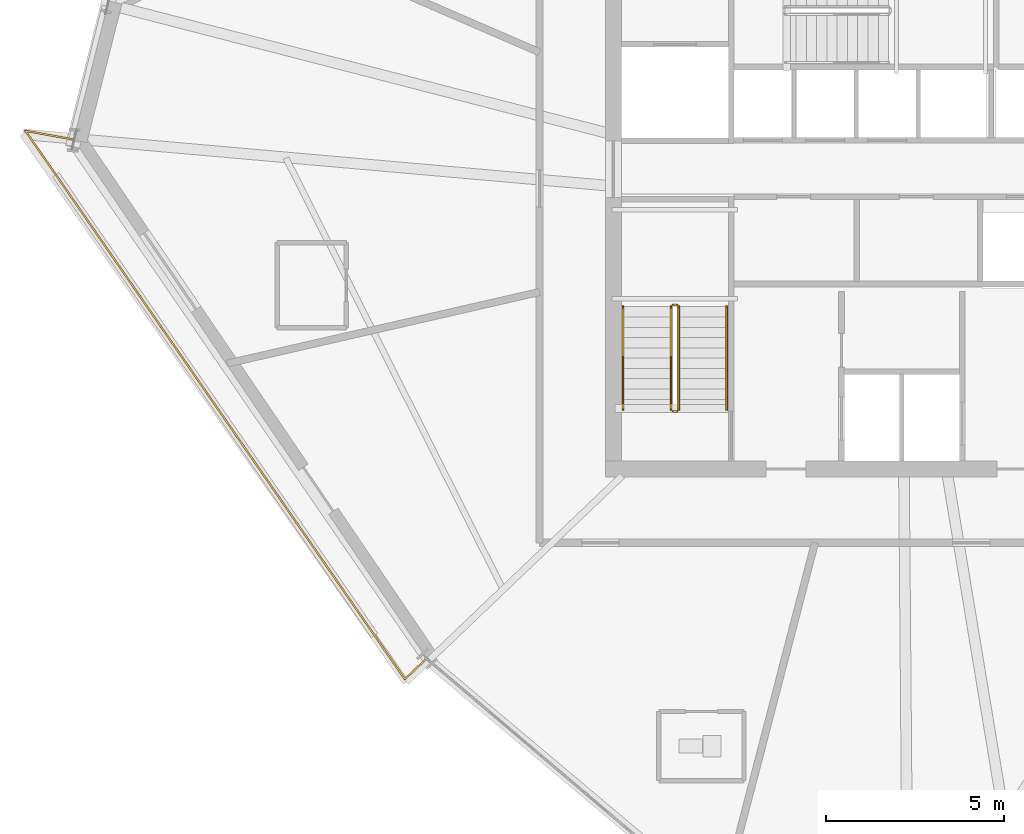
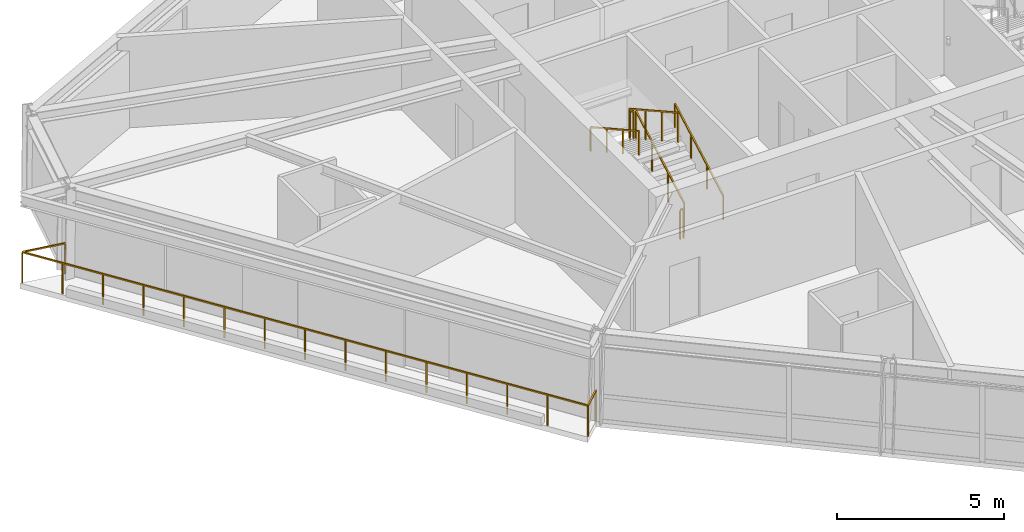
# One storey, part 12 of 15: 7 railings.
"""IFC4 building model written with IfcOpenShell, lengths in metres."""

from ifc_helpers import new_model, si_unit, direction, frame, origin, origin_2d, place, context, subcontext, project, spatial, rectangle, extrude, material, type_object, element, save


model = new_model("IFC4")

# Units and contexts
model_context = context("Model", 3, precision=1e-05, world=origin(), true_north=direction((0.0, 1.0)))
body_context = subcontext(model_context, "Body", "Model", "MODEL_VIEW")
ifc_project = project(units=[si_unit("LENGTHUNIT", "METRE"), si_unit("AREAUNIT", "SQUARE_METRE"), si_unit("VOLUMEUNIT", "CUBIC_METRE"), si_unit("PLANEANGLEUNIT", "RADIAN"), si_unit("MASSUNIT", "GRAM", prefix="KILO")], contexts=[model_context])

# Site, building, storey
site_placement = place(None, origin())
site = spatial("IfcSite", under=ifc_project, at=site_placement, CompositionType="ELEMENT")
building_placement = place(site_placement, origin())
building = spatial("IfcBuilding", under=site, at=building_placement, Name="Olszyna Solenne Hotel", CompositionType="ELEMENT")
storey_placement = place(building_placement, frame((0.0, 0.0, 213.14990234375)))
storey = spatial("IfcBuildingStorey", under=building, at=storey_placement, Name="L56", CompositionType="ELEMENT", Elevation=213.14990234375)

# Railings
ifc_material_1 = material(Name="Anodised bronze aluminium", Category="aluminium")
railing_type_1 = type_object("IfcRailingType", Name="GR-110", PredefinedType="BALUSTRADE", material=ifc_material_1)
railing_1_placement = place(storey_placement, frame((14.67431640625, 28.55810546875, 0.0)))
element("IfcRailing", 1, at=railing_1_placement, inside=storey, type_object=railing_type_1, Name="Loggia balcony balustrade guard GR-L56-LG2", PredefinedType="BALUSTRADE", context=body_context, shape_type="SweptSolid", body=[
    extrude(rectangle(XDim=0.048095703125, YDim=0.048095703125, at=origin_2d()), frame((0.0, 0.0, 1.1259765625), z_axis=(-0.98408442222, 0.177701575523, 0.0), x_axis=(-0.177701575523, -0.98408442222, 0.0)), (0.0, 0.0, 1.0), 1.37939453125),
    extrude(rectangle(XDim=0.048095703125, YDim=0.048095703125, at=origin_2d()), frame((-1.357421875, 0.2451171875, 1.1259765625), z_axis=(0.568887530373, -0.822415331682, 0.0), x_axis=(0.822415331682, 0.568887530373, 0.0)), (0.0, 0.0, 1.0), 18.78271484375),
    extrude(rectangle(XDim=0.048095703125, YDim=0.048095703125, at=origin_2d()), frame((9.327880859375, -15.2021484375, 1.1259765625), z_axis=(0.723925186194, 0.689878485528, 0.0), x_axis=(-0.689878485528, 0.723925186194, 0.0)), (0.0, 0.0, 1.0), 0.84619140625),
    extrude(rectangle(XDim=0.0419921875, YDim=0.0419921875, at=origin_2d()), origin(), (0.0, 0.0, 1.0), 1.101806640625),
    extrude(rectangle(XDim=0.0419921875, YDim=0.0419921875, at=origin_2d()), frame((-1.357421875, 0.2451171875, 0.0)), (0.0, 0.0, 1.0), 1.101806640625),
    extrude(rectangle(XDim=0.0419921875, YDim=0.0419921875, at=origin_2d()), frame((-0.59423828125, -0.858154296875, 0.0)), (0.0, 0.0, 1.0), 1.101806640625),
    extrude(rectangle(XDim=0.0419921875, YDim=0.0419921875, at=origin_2d()), frame((0.1689453125, -1.961669921875, 0.0)), (0.0, 0.0, 1.0), 1.101806640625),
    extrude(rectangle(XDim=0.0419921875, YDim=0.0419921875, at=origin_2d()), frame((0.932373046875, -3.06494140625, 0.0)), (0.0, 0.0, 1.0), 1.101806640625),
    extrude(rectangle(XDim=0.0419921875, YDim=0.0419921875, at=origin_2d()), frame((1.695556640625, -4.16845703125, 0.0)), (0.0, 0.0, 1.0), 1.101806640625),
    extrude(rectangle(XDim=0.0419921875, YDim=0.0419921875, at=origin_2d()), frame((2.458740234375, -5.271728515625, 0.0)), (0.0, 0.0, 1.0), 1.101806640625),
    extrude(rectangle(XDim=0.0419921875, YDim=0.0419921875, at=origin_2d()), frame((3.221923828125, -6.375244140625, 0.0)), (0.0, 0.0, 1.0), 1.101806640625),
    extrude(rectangle(XDim=0.0419921875, YDim=0.0419921875, at=origin_2d()), frame((3.9853515625, -7.478515625, 0.0)), (0.0, 0.0, 1.0), 1.101806640625),
    extrude(rectangle(XDim=0.0419921875, YDim=0.0419921875, at=origin_2d()), frame((4.74853515625, -8.581787109375, 0.0)), (0.0, 0.0, 1.0), 1.101806640625),
    extrude(rectangle(XDim=0.0419921875, YDim=0.0419921875, at=origin_2d()), frame((5.51171875, -9.685302734375, 0.0)), (0.0, 0.0, 1.0), 1.101806640625),
    extrude(rectangle(XDim=0.0419921875, YDim=0.0419921875, at=origin_2d()), frame((6.27490234375, -10.78857421875, 0.0)), (0.0, 0.0, 1.0), 1.101806640625),
    extrude(rectangle(XDim=0.0419921875, YDim=0.0419921875, at=origin_2d()), frame((7.0380859375, -11.89208984375, 0.0)), (0.0, 0.0, 1.0), 1.101806640625),
    extrude(rectangle(XDim=0.0419921875, YDim=0.0419921875, at=origin_2d()), frame((7.801513671875, -12.995361328125, 0.0)), (0.0, 0.0, 1.0), 1.101806640625),
    extrude(rectangle(XDim=0.0419921875, YDim=0.0419921875, at=origin_2d()), frame((8.564697265625, -14.098876953125, 0.0)), (0.0, 0.0, 1.0), 1.101806640625),
    extrude(rectangle(XDim=0.0419921875, YDim=0.0419921875, at=origin_2d()), frame((9.327880859375, -15.2021484375, 0.0)), (0.0, 0.0, 1.0), 1.101806640625),
    extrude(rectangle(XDim=0.0419921875, YDim=0.0419921875, at=origin_2d()), frame((9.9404296875, -14.618408203125, 0.0)), (0.0, 0.0, 1.0), 1.101806640625),
])
railing_2_placement = place(storey_placement, frame((31.719970703125, 20.949951171875, 0.161376953125)))
element("IfcRailing", 2, at=railing_2_placement, inside=storey, type_object=railing_type_1, Name="L56 ST1 stair guard 1", PredefinedType="BALUSTRADE", context=body_context, shape_type="SweptSolid", body=[
    extrude(rectangle(XDim=0.048095703125, YDim=0.048095703125, at=origin_2d()), frame((0.0, 0.0, 1.076171875), z_axis=(0.0, 0.873827439584, 0.48623616261), x_axis=(-1.0, 0.0, 0.0)), (0.0, 0.0, 1.0), 3.31884765625),
    extrude(rectangle(XDim=0.0419921875, YDim=0.0419921875, at=origin_2d()), origin(), (0.0, 0.0, 1.0), 1.052001953125),
    extrude(rectangle(XDim=0.0419921875, YDim=0.0419921875, at=origin_2d()), frame((0.0, 0.966796875, 0.537841796875)), (0.0, 0.0, 1.0), 1.052001953125),
    extrude(rectangle(XDim=0.0419921875, YDim=0.0419921875, at=origin_2d()), frame((0.0, 1.933349609375, 1.075927734375)), (0.0, 0.0, 1.0), 1.052001953125),
    extrude(rectangle(XDim=0.0419921875, YDim=0.0419921875, at=origin_2d()), frame((0.0, 2.900146484375, 1.61376953125)), (0.0, 0.0, 1.0), 1.052001953125),
])
railing_3_placement = place(storey_placement, frame((31.669921875, 23.89990234375, 1.775146484375)))
element("IfcRailing", 3, at=railing_3_placement, inside=storey, type_object=railing_type_1, Name="L56 ST1 stair guard 2", PredefinedType="BALUSTRADE", context=body_context, shape_type="SweptSolid", body=[
    extrude(rectangle(XDim=0.048095703125, YDim=0.048095703125, at=origin_2d()), frame((0.0, 0.0, 1.076171875), z_axis=(-1.0, 0.0, 0.0), x_axis=(0.0, -1.0, 0.0)), (0.0, 0.0, 1.0), 0.119873046875),
    extrude(rectangle(XDim=0.0419921875, YDim=0.0419921875, at=origin_2d()), origin(), (0.0, 0.0, 1.0), 1.052001953125),
    extrude(rectangle(XDim=0.0419921875, YDim=0.0419921875, at=origin_2d()), frame((-0.119873046875, 0.0, 0.0)), (0.0, 0.0, 1.0), 1.052001953125),
])
railing_4_placement = place(storey_placement, frame((31.5, 23.85009765625, 1.9365234375)))
element("IfcRailing", 4, at=railing_4_placement, inside=storey, type_object=railing_type_1, Name="L56 ST1 stair guard 3", PredefinedType="BALUSTRADE", context=body_context, shape_type="SweptSolid", body=[
    extrude(rectangle(XDim=0.048095703125, YDim=0.048095703125, at=origin_2d()), frame((0.0, 0.0, 1.076171875), z_axis=(0.0, -0.873858693841, 0.486179990537), x_axis=(1.0, 0.0, 0.0)), (0.0, 0.0, 1.0), 3.31884765625),
    extrude(rectangle(XDim=0.0419921875, YDim=0.0419921875, at=origin_2d()), origin(), (0.0, 0.0, 1.0), 1.052001953125),
    extrude(rectangle(XDim=0.0419921875, YDim=0.0419921875, at=origin_2d()), frame((0.0, -0.966796875, 0.537841796875)), (0.0, 0.0, 1.0), 1.052001953125),
    extrude(rectangle(XDim=0.0419921875, YDim=0.0419921875, at=origin_2d()), frame((0.0, -1.933349609375, 1.07568359375)), (0.0, 0.0, 1.0), 1.052001953125),
    extrude(rectangle(XDim=0.0419921875, YDim=0.0419921875, at=origin_2d()), frame((0.0, -2.900146484375, 1.613525390625)), (0.0, 0.0, 1.0), 1.052001953125),
])
railing_5_placement = place(storey_placement, frame((31.669921875, 20.89990234375, 0.0)))
element("IfcRailing", 5, at=railing_5_placement, inside=storey, type_object=railing_type_1, Name="L56 ST1 stair guard 4", PredefinedType="BALUSTRADE", context=body_context, shape_type="SweptSolid", body=[
    extrude(rectangle(XDim=0.048095703125, YDim=0.048095703125, at=origin_2d()), frame((0.0, 0.0, 1.076171875), z_axis=(-1.0, 0.0, 0.0), x_axis=(0.0, -1.0, 0.0)), (0.0, 0.0, 1.0), 0.119873046875),
    extrude(rectangle(XDim=0.0419921875, YDim=0.0419921875, at=origin_2d()), origin(), (0.0, 0.0, 1.0), 1.052001953125),
    extrude(rectangle(XDim=0.0419921875, YDim=0.0419921875, at=origin_2d()), frame((-0.119873046875, 0.0, 0.0)), (0.0, 0.0, 1.0), 1.052001953125),
])
ifc_material_2 = material(Name="Steel S355J2", Category="steel")
railing_type_2 = type_object("IfcRailingType", Name="HR-090", PredefinedType="HANDRAIL", material=ifc_material_2)
railing_6_placement = place(storey_placement, frame((33.070068359375, 20.949951171875, 0.161376953125)))
element("IfcRailing", 6, at=railing_6_placement, inside=storey, type_object=railing_type_2, Name="L56 ST1 stair handrail 1", PredefinedType="HANDRAIL", context=body_context, shape_type="SweptSolid", body=[
    extrude(rectangle(XDim=0.048095703125, YDim=0.048095703125, at=origin_2d()), frame((0.0, 0.0, 0.8759765625), z_axis=(0.0, 0.873827439584, 0.48623616261), x_axis=(-1.0, 0.0, 0.0)), (0.0, 0.0, 1.0), 3.31884765625),
    extrude(rectangle(XDim=0.0419921875, YDim=0.0419921875, at=origin_2d()), origin(), (0.0, 0.0, 1.0), 0.851806640625),
    extrude(rectangle(XDim=0.0419921875, YDim=0.0419921875, at=origin_2d()), frame((0.0, 0.966796875, 0.537841796875)), (0.0, 0.0, 1.0), 0.851806640625),
    extrude(rectangle(XDim=0.0419921875, YDim=0.0419921875, at=origin_2d()), frame((0.0, 1.933349609375, 1.075927734375)), (0.0, 0.0, 1.0), 0.851806640625),
    extrude(rectangle(XDim=0.0419921875, YDim=0.0419921875, at=origin_2d()), frame((0.0, 2.900146484375, 1.61376953125)), (0.0, 0.0, 1.0), 0.851806640625),
])
railing_7_placement = place(storey_placement, frame((30.14990234375, 23.85009765625, 1.9365234375)))
element("IfcRailing", 7, at=railing_7_placement, inside=storey, type_object=railing_type_2, Name="L56 ST1 stair handrail 2", PredefinedType="HANDRAIL", context=body_context, shape_type="SweptSolid", body=[
    extrude(rectangle(XDim=0.048095703125, YDim=0.048095703125, at=origin_2d()), frame((0.0, 0.0, 0.8759765625), z_axis=(0.0, -0.873858693841, 0.486179990537), x_axis=(1.0, 0.0, 0.0)), (0.0, 0.0, 1.0), 3.31884765625),
    extrude(rectangle(XDim=0.0419921875, YDim=0.0419921875, at=origin_2d()), origin(), (0.0, 0.0, 1.0), 0.851806640625),
    extrude(rectangle(XDim=0.0419921875, YDim=0.0419921875, at=origin_2d()), frame((0.0, -0.966796875, 0.537841796875)), (0.0, 0.0, 1.0), 0.851806640625),
    extrude(rectangle(XDim=0.0419921875, YDim=0.0419921875, at=origin_2d()), frame((0.0, -1.933349609375, 1.07568359375)), (0.0, 0.0, 1.0), 0.851806640625),
    extrude(rectangle(XDim=0.0419921875, YDim=0.0419921875, at=origin_2d()), frame((0.0, -2.900146484375, 1.613525390625)), (0.0, 0.0, 1.0), 0.851806640625),
])

save(model, "model.ifc")
